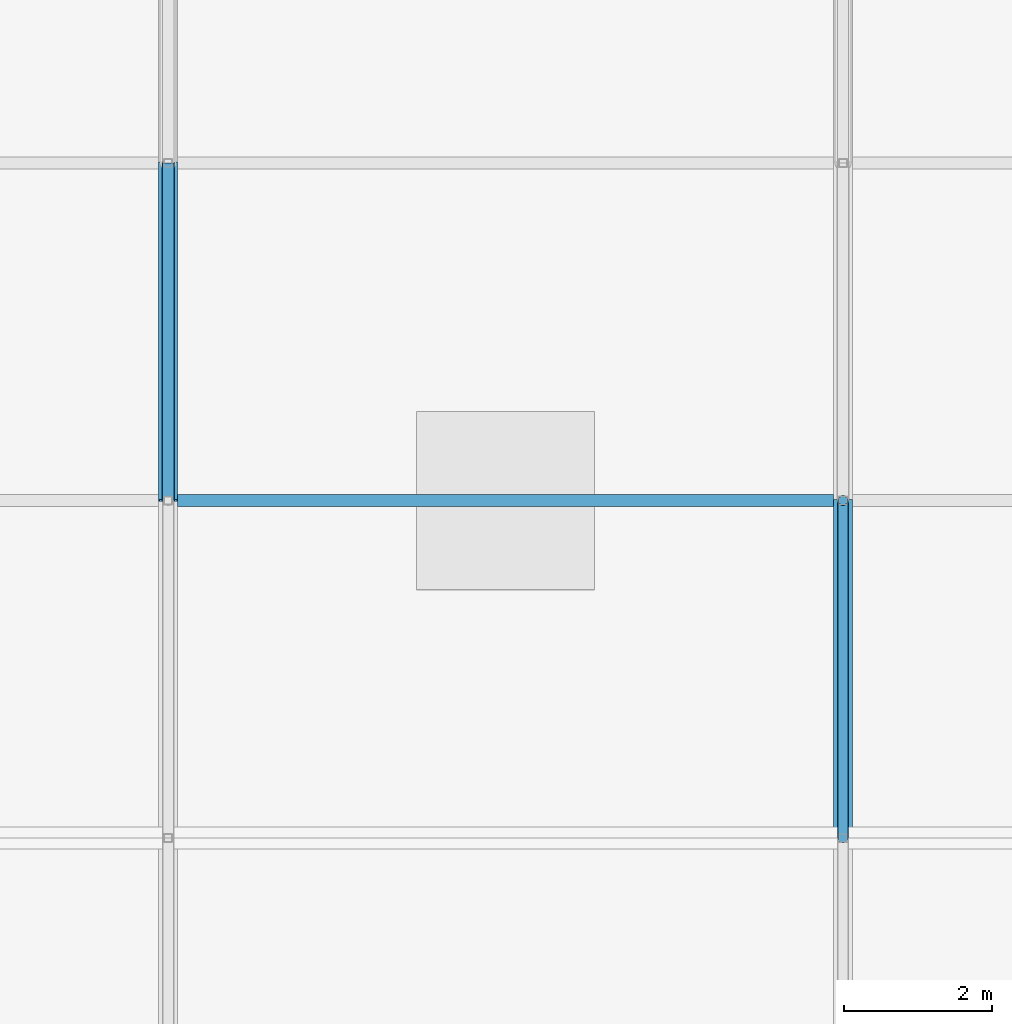
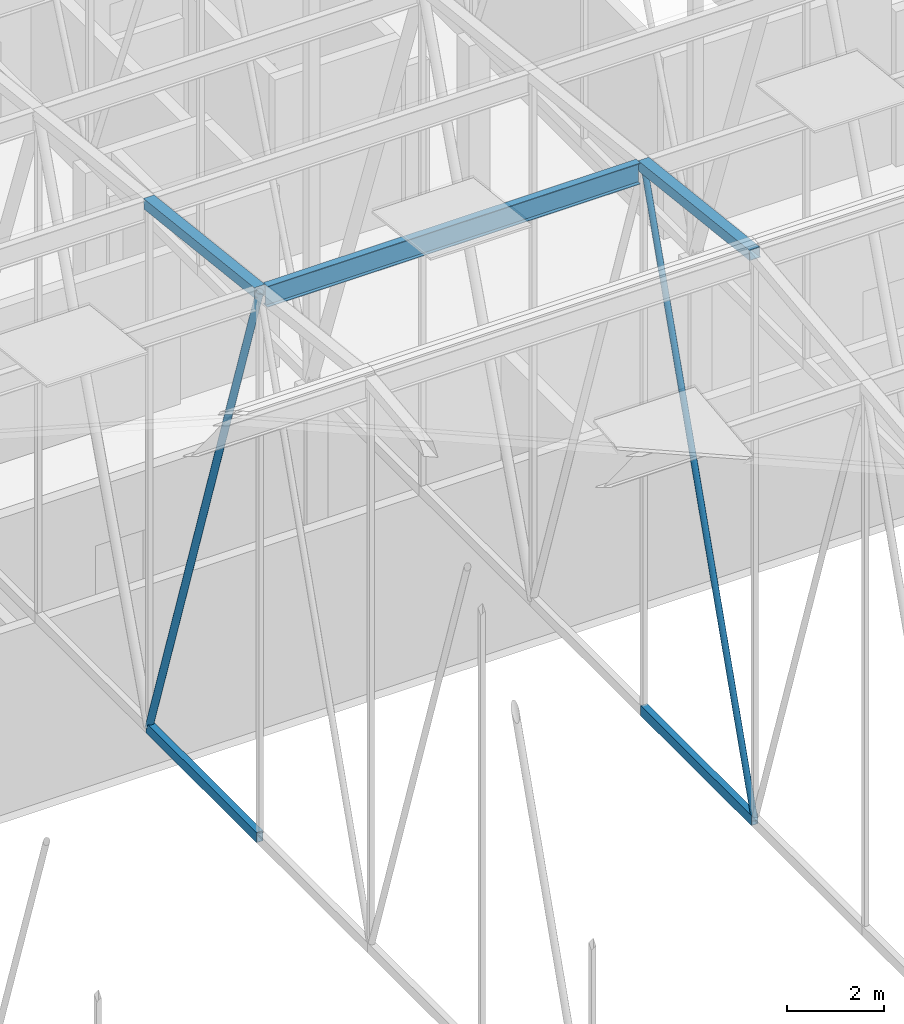
# One storey, part 278 of 500: 7 members.
"""IFC4 building model written with IfcOpenShell, lengths in metres."""

from ifc_helpers import new_model, si_unit, direction, frame, origin, origin_2d, place, context, subcontext, project, spatial, hollow_rectangle, hollow_circle, i_section, extrude, material, material_profile, profile_set, type_object, element, save


model = new_model("IFC4")

# Units and contexts
model_context = context("Model", 3, precision=1e-05, world=origin(), true_north=direction((0.0, 1.0)))
body_context = subcontext(model_context, "Body", "Model", "MODEL_VIEW")
ifc_project = project(units=[si_unit("LENGTHUNIT", "METRE"), si_unit("AREAUNIT", "SQUARE_METRE"), si_unit("VOLUMEUNIT", "CUBIC_METRE"), si_unit("PLANEANGLEUNIT", "RADIAN"), si_unit("MASSUNIT", "GRAM", prefix="KILO")], contexts=[model_context])

# Site, building, storey
site_placement = place(None, origin())
site = spatial("IfcSite", under=ifc_project, at=site_placement, CompositionType="ELEMENT")
building_placement = place(site_placement, origin())
building = spatial("IfcBuilding", under=site, at=building_placement, Name="Shirokan Park Arena", CompositionType="ELEMENT")
storey_placement = place(building_placement, frame((0.0, 0.0, 29.1201171875)))
storey = spatial("IfcBuildingStorey", under=building, at=storey_placement, Name="L06", CompositionType="ELEMENT", Elevation=29.1201171875)

# Members
ifc_material_1 = material(Name="Steel ASTM A500 Grade C", Category="steel")
ifc_material_profile_1 = material_profile(ifc_material_1, hollow_rectangle(XDim=0.152099609375, YDim=0.25390625, WallThickness=0.009521484375, at=origin_2d()), Name="HSS254X152.4X9.5")
ifc_profile_set_1 = profile_set([ifc_material_profile_1], Name="Steel ASTM A500 Grade C")
member_type_1 = type_object("IfcMemberType", Name="Bottom chord HSS254X152.4X9.5", PredefinedType="CHORD", material=ifc_profile_set_1)
member_1_placement = place(storey_placement, frame((109.199951171875, 59.14990234375, 4.677001953125), z_axis=(0.0, 1.0, 0.0), x_axis=(-1.0, 0.0, 0.0)))
element("IfcMember", 1, at=member_1_placement, inside=storey, type_object=member_type_1, Name="Truss T13 bottom chord 16", PredefinedType="CHORD", context=body_context, shape_type="SweptSolid", body=[
    extrude(hollow_rectangle(XDim=0.152099609375, YDim=0.25390625, WallThickness=0.009521484375, at=origin_2d()), origin(), (0.0, 0.0, 1.0), 4.550048828125),
])
member_2_placement = place(storey_placement, frame((118.300048828125, 54.60009765625, 4.677001953125), z_axis=(0.0, 1.0, 0.0), x_axis=(-1.0, 0.0, 0.0)))
element("IfcMember", 2, at=member_2_placement, inside=storey, type_object=member_type_1, Name="Truss T14 bottom chord 15", PredefinedType="CHORD", context=body_context, shape_type="SweptSolid", body=[
    extrude(hollow_rectangle(XDim=0.152099609375, YDim=0.25390625, WallThickness=0.009521484375, at=origin_2d()), origin(), (0.0, 0.0, 1.0), 4.5498046875),
])
ifc_material_2 = material(Name="Steel ASTM A992", Category="steel")
ifc_material_profile_2 = material_profile(ifc_material_2, i_section(OverallWidth=0.166015625, OverallDepth=0.528076171875, WebThickness=0.009765625, FlangeThickness=0.013671875, at=origin_2d()), Name="W530X74")
ifc_profile_set_2 = profile_set([ifc_material_profile_2], Name="Steel ASTM A992")
member_type_2 = type_object("IfcMemberType", Name="Purlin W530X74", PredefinedType="PURLIN", material=ifc_profile_set_2)
member_3_placement = place(storey_placement, frame((109.326904296875, 59.14990234375, 18.205810546875), z_axis=(1.0, 0.0, 0.0), x_axis=(0.0, 1.0, 0.0)))
element("IfcMember", 3, at=member_3_placement, inside=storey, type_object=member_type_2, Name="Purlin 16 bay 13", PredefinedType="PURLIN", context=body_context, shape_type="SweptSolid", body=[
    extrude(i_section(OverallWidth=0.166015625, OverallDepth=0.528076171875, WebThickness=0.009765625, FlangeThickness=0.013671875, at=origin_2d()), origin(), (0.0, 0.0, 1.0), 8.84619140625),
])
ifc_material_profile_3 = material_profile(ifc_material_1, hollow_rectangle(XDim=0.25390625, YDim=0.25390625, WallThickness=0.009521484375, at=origin_2d()), Name="HSS254X254X9.5")
ifc_profile_set_3 = profile_set([ifc_material_profile_3], Name="Steel ASTM A500 Grade C")
member_type_3 = type_object("IfcMemberType", Name="Top chord HSS254X254X9.5", PredefinedType="CHORD", material=ifc_profile_set_3)
member_4_placement = place(storey_placement, frame((109.199951171875, 59.14990234375, 18.3427734375), z_axis=(0.0, 0.993538341779, -0.113496975353), x_axis=(-1.0, 0.0, 0.0)))
element("IfcMember", 4, at=member_4_placement, inside=storey, type_object=member_type_3, Name="Truss T13 top chord 16", PredefinedType="CHORD", context=body_context, shape_type="SweptSolid", body=[
    extrude(hollow_rectangle(XDim=0.25390625, YDim=0.25390625, WallThickness=0.009521484375, at=origin_2d()), origin(), (0.0, 0.0, 1.0), 4.57958984375),
])
member_5_placement = place(storey_placement, frame((118.300048828125, 54.60009765625, 18.86279296875), z_axis=(0.0, 0.993531641592, -0.11355561261), x_axis=(-1.0, 0.0, 0.0)))
element("IfcMember", 5, at=member_5_placement, inside=storey, type_object=member_type_3, Name="Truss T14 top chord 15", PredefinedType="CHORD", context=body_context, shape_type="SweptSolid", body=[
    extrude(hollow_rectangle(XDim=0.25390625, YDim=0.25390625, WallThickness=0.009521484375, at=origin_2d()), origin(), (0.0, 0.0, 1.0), 4.579345703125),
])
ifc_material_profile_4 = material_profile(ifc_material_1, hollow_circle(Radius=0.070556640625, WallThickness=0.006591796875, at=origin_2d()), Name="HSS141.3X6.6")
ifc_profile_set_4 = profile_set([ifc_material_profile_4], Name="Steel ASTM A500 Grade C")
member_type_4 = type_object("IfcMemberType", Name="Truss diagonal HSS141.3X6.6", PredefinedType="BRACE", material=ifc_profile_set_4)
member_6_placement = place(storey_placement, frame((118.300048828125, 54.60009765625, 4.677001953125), z_axis=(0.0, 0.315887043243, 0.948796804332), x_axis=(-1.0, 0.0, 0.0)))
element("IfcMember", 6, at=member_6_placement, inside=storey, type_object=member_type_4, Name="Truss T14 diagonal 15", PredefinedType="BRACE", context=body_context, shape_type="SweptSolid", body=[
    extrude(hollow_circle(Radius=0.070556640625, WallThickness=0.006591796875, at=origin_2d()), origin(), (0.0, 0.0, 1.0), 14.4033203125),
])
ifc_material_profile_5 = material_profile(ifc_material_1, hollow_circle(Radius=0.083984375, WallThickness=0.009521484375, at=origin_2d()), Name="HSS168.3X9.5")
ifc_profile_set_5 = profile_set([ifc_material_profile_5], Name="Steel ASTM A500 Grade C")
member_type_5 = type_object("IfcMemberType", Name="Truss diagonal HSS168.3X9.5", PredefinedType="BRACE", material=ifc_profile_set_5)
member_7_placement = place(storey_placement, frame((109.199951171875, 59.14990234375, 18.3427734375), z_axis=(0.0, 0.315902302102, -0.948791723998), x_axis=(-1.0, 0.0, 0.0)))
element("IfcMember", 7, at=member_7_placement, inside=storey, type_object=member_type_5, Name="Truss T13 diagonal 16", PredefinedType="BRACE", context=body_context, shape_type="SweptSolid", body=[
    extrude(hollow_circle(Radius=0.083984375, WallThickness=0.009521484375, at=origin_2d()), origin(), (0.0, 0.0, 1.0), 14.4033203125),
])

save(model, "model.ifc")
